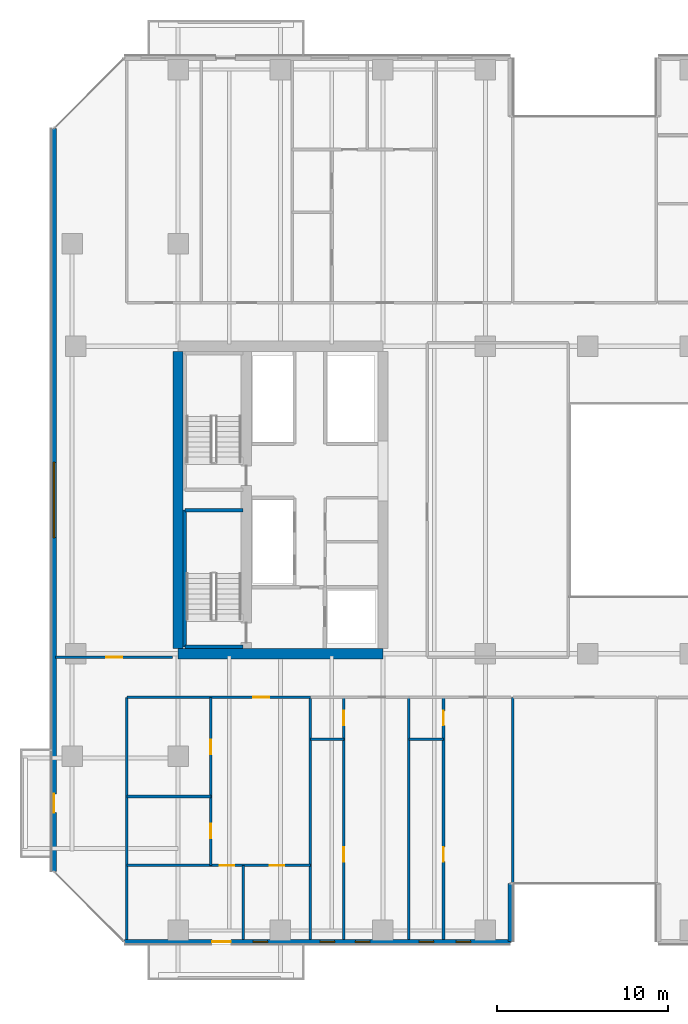
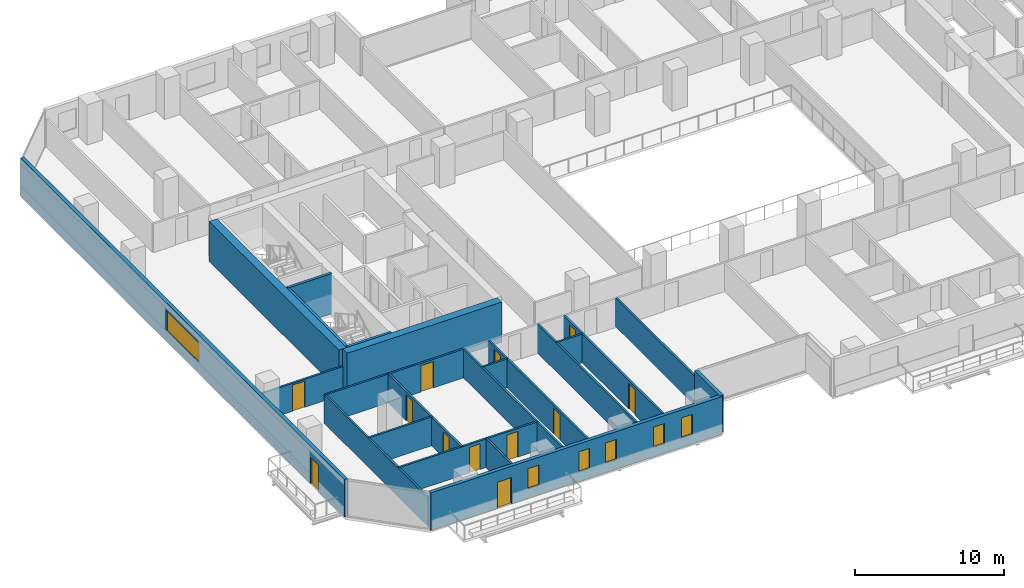
# One storey, part 17 of 33: 22 walls, 12 doors, 6 windows, 18 openings.
"""IFC4 building model written with IfcOpenShell, lengths in metres."""

from ifc_helpers import new_model, si_unit, direction, frame, frame_2d, origin, place, context, subcontext, project, spatial, rectangle, extrude, material, layer, layer_set, type_object, element, fill, save


model = new_model("IFC4")

# Units and contexts
model_context = context("Model", 3, precision=1e-05, world=origin(), true_north=direction((0.0, 1.0)))
body_context = subcontext(model_context, "Body", "Model", "MODEL_VIEW")
ifc_project = project(units=[si_unit("LENGTHUNIT", "METRE"), si_unit("AREAUNIT", "SQUARE_METRE"), si_unit("VOLUMEUNIT", "CUBIC_METRE"), si_unit("PLANEANGLEUNIT", "RADIAN"), si_unit("MASSUNIT", "GRAM", prefix="KILO")], contexts=[model_context])

# Site, building, storey
site_placement = place(None, origin())
site = spatial("IfcSite", under=ifc_project, at=site_placement, CompositionType="ELEMENT")
building_placement = place(site_placement, origin())
building = spatial("IfcBuilding", under=site, at=building_placement, Name="Tanjung Sevakor Pilgrim Tower", CompositionType="ELEMENT")
storey_placement = place(building_placement, frame((0.0, 0.0, 32.340087890625)))
storey = spatial("IfcBuildingStorey", under=building, at=storey_placement, Name="L08", CompositionType="ELEMENT", Elevation=32.340087890625)

# Walls
ifc_material_1 = material(Name="Concrete C60/75", Category="concrete")
ifc_layer_1 = layer(ifc_material_1, 0.60009765625)
ifc_layer_set_1 = layer_set([ifc_layer_1], Name="WALL-CW-600")
wall_type_1 = type_object("IfcWallType", Name="WALL-CW-600", PredefinedType="SHEAR", material=ifc_layer_set_1)
wall_1_placement = place(storey_placement, frame((24.0, 24.60009765625, 0.0), z_axis=(0.0, 0.0, 1.0), x_axis=(1.0, 0.0, 0.0)))
element("IfcWall", 1, at=wall_1_placement, inside=storey, type_object=wall_type_1, Name="L08 W Core South Shear Wall", PredefinedType="SHEAR", context=body_context, shape_type="SweptSolid", body=[
    extrude(rectangle(XDim=12.0, YDim=0.60009765625, at=frame_2d((6.0, 0.0))), origin(), (0.0, 0.0, 1.0), 3.2998046875),
])
wall_2_placement = place(storey_placement, frame((24.0, 24.89990234375, 0.0), z_axis=(0.0, 0.0, 1.0), x_axis=(0.0, 1.0, 0.0)))
element("IfcWall", 2, at=wall_2_placement, inside=storey, type_object=wall_type_1, Name="L08 W Core Outer Shear Wall", PredefinedType="SHEAR", context=body_context, shape_type="SweptSolid", body=[
    extrude(rectangle(XDim=17.400146484375, YDim=0.60009765625, at=frame_2d((8.7001953125, 0.0))), origin(), (0.0, 0.0, 1.0), 3.2998046875),
])

# Wall, opening, door
ifc_material_2 = material(Name="Concrete C40/50", Category="concrete")
ifc_layer_2 = layer(ifc_material_2, 0.14990234375)
ifc_layer_set_2 = layer_set([ifc_layer_2], Name="WT-COMP-150")
wall_type_2 = type_object("IfcWallType", Name="WT-COMP-150", PredefinedType="SOLIDWALL", material=ifc_layer_set_2)
wall_3_placement = place(storey_placement, frame((16.840087890625, 24.39990234375, 0.0), z_axis=(0.0, 0.0, 1.0), x_axis=(1.0, 0.0, 0.0)))
wall_3 = element("IfcWall", 3, at=wall_3_placement, inside=storey, type_object=wall_type_2, Name="L08 Partition IW-L08-031", PredefinedType="SOLIDWALL", context=body_context, shape_type="SweptSolid", body=[
    extrude(rectangle(XDim=6.83984375, YDim=0.14990234375, at=frame_2d((3.419921875, 0.0))), origin(), (0.0, 0.0, 1.0), 2.295166015625),
])
opening_1_placement = place(wall_3_placement, frame((2.945068359375, 0.0, 0.0)))
opening_1 = element("IfcOpeningElement", 4, at=opening_1_placement, cuts=wall_3, Name="Opening ID-FD2", PredefinedType="OPENING", context=body_context, shape_type="SweptSolid", body=[
    extrude(rectangle(XDim=0.949951171875, YDim=2.14990234375, at=frame_2d((0.47509765625, 1.074951171875))), frame((0.0, 0.0849609375, 0.0), z_axis=(0.0, -1.0, 0.0), x_axis=(1.0, 0.0, 0.0)), (0.0, 0.0, 1.0), 0.169921875),
])
ifc_material_3 = material(Name="Fire-Rated Timber", Category="wood")
door_type_1 = type_object("IfcDoorType", Name="DT-FIRE-950", OperationType="NOTDEFINED", PredefinedType="DOOR", material=ifc_material_3)
door_1_placement = place(opening_1_placement, origin())
door_1 = element("IfcDoor", 5, at=door_1_placement, inside=storey, type_object=door_type_1, Name="Study Room Entrance", OperationType="SINGLE_SWING_LEFT", OverallHeight=2.14990234375, OverallWidth=0.949951171875, PredefinedType="DOOR", context=body_context, shape_type="SweptSolid", body=[
    extrude(rectangle(XDim=0.949951171875, YDim=2.14990234375, at=frame_2d((0.47509765625, 1.074951171875))), frame((0.0, 0.02490234375, 0.0), z_axis=(0.0, -1.0, 0.0), x_axis=(1.0, 0.0, 0.0)), (0.0, 0.0, 1.0), 0.050048828125),
])
fill(opening_1, door_1)

# Walls
for number, where, z_axis, x_axis, name in (
    (6, (43.60009765625, 7.8798828125, 0.0), (0.0, 0.0, 1.0), (0.0, 1.0, 0.0), "L08 Partition IW-L08-039"),
    (7, (21.0, 7.8798828125, 0.0), (0.0, 0.0, 1.0), (0.0, 1.0, 0.0), "L08 Partition IW-L08-044"),
    (8, (31.751220703125, 7.8798828125, 0.0), (0.0, 0.0, 1.0), (0.0, 1.0, 0.0), "L08 Partition IW-L08-045"),
):
    element("IfcWall", number, at=place(storey_placement, frame(where, z_axis=z_axis, x_axis=x_axis)), inside=storey, type_object=wall_type_2, Name=name, PredefinedType="SOLIDWALL", context=body_context, shape_type="SweptSolid", body=[
        extrude(rectangle(XDim=14.170166015625, YDim=0.14990234375, at=frame_2d((7.0849609375, 0.0))), origin(), (0.0, 0.0, 1.0), 2.35009765625),
    ])

# Wall, opening, door
wall_4_placement = place(storey_placement, frame((21.0, 22.050048828125, 0.0), z_axis=(0.0, 0.0, 1.0), x_axis=(1.0, 0.0, 0.0)))
wall_4 = element("IfcWall", 9, at=wall_4_placement, inside=storey, type_object=wall_type_2, Name="L08 Partition IW-L08-050", PredefinedType="SOLIDWALL", context=body_context, shape_type="SweptSolid", body=[
    extrude(rectangle(XDim=10.751220703125, YDim=0.14990234375, at=frame_2d((5.37548828125, 0.0))), origin(), (0.0, 0.0, 1.0), 2.35009765625),
])
opening_2_placement = place(wall_4_placement, frame((7.400634765625, 0.0, 0.0)))
opening_2 = element("IfcOpeningElement", 10, at=opening_2_placement, cuts=wall_4, Name="Opening ID-FD2", PredefinedType="OPENING", context=body_context, shape_type="SweptSolid", body=[
    extrude(rectangle(XDim=0.949951171875, YDim=2.14990234375, at=frame_2d((0.47509765625, 1.074951171875))), frame((0.0, 0.0849609375, 0.0), z_axis=(0.0, -1.0, 0.0), x_axis=(1.0, 0.0, 0.0)), (0.0, 0.0, 1.0), 0.169921875),
])
door_2_placement = place(opening_2_placement, origin())
door_2 = element("IfcDoor", 11, at=door_2_placement, inside=storey, type_object=door_type_1, Name="Suite Entrance", OperationType="SINGLE_SWING_RIGHT", OverallHeight=2.14990234375, OverallWidth=0.949951171875, PredefinedType="DOOR", context=body_context, shape_type="SweptSolid", body=[
    extrude(rectangle(XDim=0.949951171875, YDim=2.14990234375, at=frame_2d((0.47509765625, 1.074951171875))), frame((0.0, 0.02490234375, 0.0), z_axis=(0.0, -1.0, 0.0), x_axis=(1.0, 0.0, 0.0)), (0.0, 0.0, 1.0), 0.050048828125),
])
fill(opening_2, door_2)

# Wall
wall_5_placement = place(storey_placement, frame((37.5126953125, 7.8798828125, 0.0), z_axis=(0.0, 0.0, 1.0), x_axis=(0.0, 1.0, 0.0)))
element("IfcWall", 12, at=wall_5_placement, inside=storey, type_object=wall_type_2, Name="L08 Partition IW-L08-051", PredefinedType="SOLIDWALL", context=body_context, shape_type="SweptSolid", body=[
    extrude(rectangle(XDim=14.170166015625, YDim=0.14990234375, at=frame_2d((7.0849609375, 0.0))), origin(), (0.0, 0.0, 1.0), 2.35009765625),
])

# Wall, openings, door, windows
ifc_material_4 = material(Name="Precast concrete C45/55", Category="concrete")
ifc_layer_3 = layer(ifc_material_4, 0.280029296875)
ifc_layer_set_3 = layer_set([ifc_layer_3], Name="WT-EW-STN2")
wall_type_3 = type_object("IfcWallType", Name="WT-EW-STN2", PredefinedType="SOLIDWALL", material=ifc_layer_set_3)
wall_6_placement = place(storey_placement, frame((20.85791015625, 7.739990234375, 0.0), z_axis=(0.0, 0.0, 1.0), x_axis=(1.0, 0.0, 0.0)))
wall_6 = element("IfcWall", 13, at=wall_6_placement, inside=storey, type_object=wall_type_3, Name="L08 MAIN Exterior Wall 1", PredefinedType="SOLIDWALL", context=body_context, shape_type="SweptSolid", body=[
    extrude(rectangle(XDim=22.60205078125, YDim=0.280029296875, at=frame_2d((11.301025390625, 0.0))), origin(), (0.0, 0.0, 1.0), 3.080078125),
])
opening_3_placement = place(wall_6_placement, frame((5.14208984375, 0.0, 0.0)))
opening_3 = element("IfcOpeningElement", 14, at=opening_3_placement, cuts=wall_6, Name="Opening ED-BAL-1100", PredefinedType="OPENING", context=body_context, shape_type="SweptSolid", body=[
    extrude(rectangle(XDim=1.10009765625, YDim=2.14990234375, at=frame_2d((0.550048828125, 1.074951171875))), frame((0.0, 0.14990234375, 0.0), z_axis=(0.0, -1.0, 0.0), x_axis=(1.0, 0.0, 0.0)), (0.0, 0.0, 1.0), 0.300048828125),
])
opening_4_placement = place(wall_6_placement, frame((7.53271484375, 0.0, 0.780029296875)))
opening_4 = element("IfcOpeningElement", 15, at=opening_4_placement, cuts=wall_6, Name="Opening WN-SLM", PredefinedType="OPENING", context=body_context, shape_type="SweptSolid", body=[
    extrude(rectangle(XDim=0.85009765625, YDim=1.64990234375, at=frame_2d((0.425048828125, 0.824951171875))), frame((0.0, 0.14990234375, 0.0), z_axis=(0.0, -1.0, 0.0), x_axis=(1.0, 0.0, 0.0)), (0.0, 0.0, 1.0), 0.300048828125),
])
opening_5_placement = place(wall_6_placement, frame((11.457763671875, 0.0, 0.780029296875)))
opening_5 = element("IfcOpeningElement", 16, at=opening_5_placement, cuts=wall_6, Name="Opening WN-SLM", PredefinedType="OPENING", context=body_context, shape_type="SweptSolid", body=[
    extrude(rectangle(XDim=0.85009765625, YDim=1.64990234375, at=frame_2d((0.425048828125, 0.824951171875))), frame((0.0, 0.14990234375, 0.0), z_axis=(0.0, -1.0, 0.0), x_axis=(1.0, 0.0, 0.0)), (0.0, 0.0, 1.0), 0.300048828125),
])
opening_6_placement = place(wall_6_placement, frame((13.5185546875, 0.0, 0.780029296875)))
opening_6 = element("IfcOpeningElement", 17, at=opening_6_placement, cuts=wall_6, Name="Opening WN-SLM", PredefinedType="OPENING", context=body_context, shape_type="SweptSolid", body=[
    extrude(rectangle(XDim=0.85009765625, YDim=1.64990234375, at=frame_2d((0.425048828125, 0.824951171875))), frame((0.0, 0.14990234375, 0.0), z_axis=(0.0, -1.0, 0.0), x_axis=(1.0, 0.0, 0.0)), (0.0, 0.0, 1.0), 0.300048828125),
])
opening_7_placement = place(wall_6_placement, frame((17.254150390625, 0.0, 0.780029296875)))
opening_7 = element("IfcOpeningElement", 18, at=opening_7_placement, cuts=wall_6, Name="Opening WN-SLM", PredefinedType="OPENING", context=body_context, shape_type="SweptSolid", body=[
    extrude(rectangle(XDim=0.85009765625, YDim=1.64990234375, at=frame_2d((0.425048828125, 0.824951171875))), frame((0.0, 0.14990234375, 0.0), z_axis=(0.0, -1.0, 0.0), x_axis=(1.0, 0.0, 0.0)), (0.0, 0.0, 1.0), 0.300048828125),
])
opening_8_placement = place(wall_6_placement, frame((19.417724609375, 0.0, 0.780029296875)))
opening_8 = element("IfcOpeningElement", 19, at=opening_8_placement, cuts=wall_6, Name="Opening WN-SLM", PredefinedType="OPENING", context=body_context, shape_type="SweptSolid", body=[
    extrude(rectangle(XDim=0.85009765625, YDim=1.64990234375, at=frame_2d((0.425048828125, 0.824951171875))), frame((0.0, 0.14990234375, 0.0), z_axis=(0.0, -1.0, 0.0), x_axis=(1.0, 0.0, 0.0)), (0.0, 0.0, 1.0), 0.300048828125),
])
ifc_material_5 = material(Name="Anodised Aluminium and Laminated Glass", Category="aluminium")
door_type_2 = type_object("IfcDoorType", Name="DTYP-ED-BAL-1100", OperationType="NOTDEFINED", PredefinedType="DOOR", material=ifc_material_5)
door_3_placement = place(opening_3_placement, frame((1.10009765625, 0.0, 0.0), z_axis=(0.0, 0.0, 1.0), x_axis=(-1.0, 0.0, 0.0)))
door_3 = element("IfcDoor", 20, at=door_3_placement, inside=storey, type_object=door_type_2, Name="L08 Balcony Door MAIN-S1", OperationType="SINGLE_SWING_RIGHT", OverallHeight=2.14990234375, OverallWidth=1.10009765625, PredefinedType="DOOR", context=body_context, shape_type="SweptSolid", body=[
    extrude(rectangle(XDim=1.10009765625, YDim=2.14990234375, at=frame_2d((0.550048828125, 1.074951171875))), frame((0.0, 0.02490234375, 0.0), z_axis=(0.0, -1.0, 0.0), x_axis=(1.0, 0.0, 0.0)), (0.0, 0.0, 1.0), 0.050048828125),
])
fill(opening_3, door_3)
ifc_material_6 = material(Name="Thermally Broken Aluminium and Low-E Glass", Category="aluminium")
window_type_1 = type_object("IfcWindowType", Name="WTYP-WN-SLM", PartitioningType="SINGLE_PANEL", PredefinedType="WINDOW", material=ifc_material_6)
window_1_placement = place(opening_4_placement, origin())
window_1 = element("IfcWindow", 21, at=window_1_placement, inside=storey, type_object=window_type_1, Name="L08 Facade Window 01", OverallHeight=1.64990234375, OverallWidth=0.85009765625, PartitioningType="SINGLE_PANEL", PredefinedType="WINDOW", context=body_context, shape_type="SweptSolid", body=[
    extrude(rectangle(XDim=0.85009765625, YDim=1.64990234375, at=frame_2d((0.425048828125, 0.824951171875))), frame((0.0, 0.030029296875, 0.0), z_axis=(0.0, -1.0, 0.0), x_axis=(1.0, 0.0, 0.0)), (0.0, 0.0, 1.0), 0.06005859375),
])
fill(opening_4, window_1)
window_2_placement = place(opening_5_placement, origin())
window_2 = element("IfcWindow", 22, at=window_2_placement, inside=storey, type_object=window_type_1, Name="L08 Facade Window 02", OverallHeight=1.64990234375, OverallWidth=0.85009765625, PartitioningType="SINGLE_PANEL", PredefinedType="WINDOW", context=body_context, shape_type="SweptSolid", body=[
    extrude(rectangle(XDim=0.85009765625, YDim=1.64990234375, at=frame_2d((0.425048828125, 0.824951171875))), frame((0.0, 0.030029296875, 0.0), z_axis=(0.0, -1.0, 0.0), x_axis=(1.0, 0.0, 0.0)), (0.0, 0.0, 1.0), 0.06005859375),
])
fill(opening_5, window_2)
window_3_placement = place(opening_6_placement, origin())
window_3 = element("IfcWindow", 23, at=window_3_placement, inside=storey, type_object=window_type_1, Name="L08 Facade Window 03", OverallHeight=1.64990234375, OverallWidth=0.85009765625, PartitioningType="SINGLE_PANEL", PredefinedType="WINDOW", context=body_context, shape_type="SweptSolid", body=[
    extrude(rectangle(XDim=0.85009765625, YDim=1.64990234375, at=frame_2d((0.425048828125, 0.824951171875))), frame((0.0, 0.030029296875, 0.0), z_axis=(0.0, -1.0, 0.0), x_axis=(1.0, 0.0, 0.0)), (0.0, 0.0, 1.0), 0.06005859375),
])
fill(opening_6, window_3)
window_4_placement = place(opening_7_placement, origin())
window_4 = element("IfcWindow", 24, at=window_4_placement, inside=storey, type_object=window_type_1, Name="L08 Facade Window 04", OverallHeight=1.64990234375, OverallWidth=0.85009765625, PartitioningType="SINGLE_PANEL", PredefinedType="WINDOW", context=body_context, shape_type="SweptSolid", body=[
    extrude(rectangle(XDim=0.85009765625, YDim=1.64990234375, at=frame_2d((0.425048828125, 0.824951171875))), frame((0.0, 0.030029296875, 0.0), z_axis=(0.0, -1.0, 0.0), x_axis=(1.0, 0.0, 0.0)), (0.0, 0.0, 1.0), 0.06005859375),
])
fill(opening_7, window_4)
window_5_placement = place(opening_8_placement, origin())
window_5 = element("IfcWindow", 25, at=window_5_placement, inside=storey, type_object=window_type_1, Name="L08 Facade Window 05", OverallHeight=1.64990234375, OverallWidth=0.85009765625, PartitioningType="SINGLE_PANEL", PredefinedType="WINDOW", context=body_context, shape_type="SweptSolid", body=[
    extrude(rectangle(XDim=0.85009765625, YDim=1.64990234375, at=frame_2d((0.425048828125, 0.824951171875))), frame((0.0, 0.030029296875, 0.0), z_axis=(0.0, -1.0, 0.0), x_axis=(1.0, 0.0, 0.0)), (0.0, 0.0, 1.0), 0.06005859375),
])
fill(opening_8, window_5)

# Wall
wall_7_placement = place(storey_placement, frame((43.4599609375, 7.739990234375, 0.0), z_axis=(0.0, 0.0, 1.0), x_axis=(0.0, 1.0, 0.0)))
element("IfcWall", 26, at=wall_7_placement, inside=storey, type_object=wall_type_3, Name="L08 MAIN Exterior Wall 2", PredefinedType="SOLIDWALL", context=body_context, shape_type="SweptSolid", body=[
    extrude(rectangle(XDim=3.39990234375, YDim=0.280029296875, at=frame_2d((1.699951171875, 0.0))), origin(), (0.0, 0.0, 1.0), 3.080078125),
])

# Wall, openings, door, window
wall_8_placement = place(storey_placement, frame((16.739990234375, 55.342041015625, 0.0), z_axis=(0.0, 0.0, 1.0), x_axis=(0.0, -1.0, 0.0)))
wall_8 = element("IfcWall", 27, at=wall_8_placement, inside=storey, type_object=wall_type_3, Name="L08 MAIN Exterior Wall 15", PredefinedType="SOLIDWALL", context=body_context, shape_type="SweptSolid", body=[
    extrude(rectangle(XDim=43.484130859375, YDim=0.280029296875, at=frame_2d((21.7421875, 0.0))), origin(), (0.0, 0.0, 1.0), 3.080078125),
])
opening_9_placement = place(wall_8_placement, frame((38.94189453125, 0.0, 0.0)))
opening_9 = element("IfcOpeningElement", 28, at=opening_9_placement, cuts=wall_8, Name="Opening ED-BAL-1100", PredefinedType="OPENING", context=body_context, shape_type="SweptSolid", body=[
    extrude(rectangle(XDim=1.10009765625, YDim=2.14990234375, at=frame_2d((0.550048828125, 1.074951171875))), frame((0.0, 0.14990234375, 0.0), z_axis=(0.0, -1.0, 0.0), x_axis=(1.0, 0.0, 0.0)), (0.0, 0.0, 1.0), 0.300048828125),
])
opening_10_placement = place(wall_8_placement, frame((19.5419921875, 0.0, 0.780029296875)))
opening_10 = element("IfcOpeningElement", 29, at=opening_10_placement, cuts=wall_8, Name="Opening WN-ENDW-1660", PredefinedType="OPENING", context=body_context, shape_type="SweptSolid", body=[
    extrude(rectangle(XDim=4.39990234375, YDim=1.659912109375, at=frame_2d((2.199951171875, 0.830078125))), frame((0.0, 0.14990234375, 0.0), z_axis=(0.0, -1.0, 0.0), x_axis=(1.0, 0.0, 0.0)), (0.0, 0.0, 1.0), 0.300048828125),
])
door_4_placement = place(opening_9_placement, frame((1.10009765625, 0.0, 0.0), z_axis=(0.0, 0.0, 1.0), x_axis=(-1.0, 0.0, 0.0)))
door_4 = element("IfcDoor", 30, at=door_4_placement, inside=storey, type_object=door_type_2, Name="L08 West Loggia Door MAIN-W1", OperationType="SINGLE_SWING_LEFT", OverallHeight=2.14990234375, OverallWidth=1.10009765625, PredefinedType="DOOR", context=body_context, shape_type="SweptSolid", body=[
    extrude(rectangle(XDim=1.10009765625, YDim=2.14990234375, at=frame_2d((0.550048828125, 1.074951171875))), frame((0.0, 0.02490234375, 0.0), z_axis=(0.0, -1.0, 0.0), x_axis=(1.0, 0.0, 0.0)), (0.0, 0.0, 1.0), 0.050048828125),
])
fill(opening_9, door_4)
ifc_material_7 = material(Name="Thermally Broken Aluminium and Low-E Glass", Category="aluminium")
window_type_2 = type_object("IfcWindowType", Name="WTYP-WN-ENDW-1660", PartitioningType="DOUBLE_PANEL_VERTICAL", PredefinedType="WINDOW", material=ifc_material_7)
window_6_placement = place(opening_10_placement, origin())
window_6 = element("IfcWindow", 31, at=window_6_placement, inside=storey, type_object=window_type_2, Name="L08 Facade Window 01", OverallHeight=1.659912109375, OverallWidth=4.39990234375, PartitioningType="SINGLE_PANEL", PredefinedType="WINDOW", context=body_context, shape_type="SweptSolid", body=[
    extrude(rectangle(XDim=4.39990234375, YDim=1.659912109375, at=frame_2d((2.199951171875, 0.830078125))), frame((0.0, 0.030029296875, 0.0), z_axis=(0.0, -1.0, 0.0), x_axis=(1.0, 0.0, 0.0)), (0.0, 0.0, 1.0), 0.06005859375),
])
fill(opening_10, window_6)

# Walls
ifc_material_8 = material(Name="Concrete C40/50", Category="concrete")
ifc_layer_4 = layer(ifc_material_8, 0.199951171875)
ifc_layer_set_4 = layer_set([ifc_layer_4], Name="WT-FIRE-200")
wall_type_4 = type_object("IfcWallType", Name="WT-FIRE-200", PredefinedType="SOLIDWALL", material=ifc_layer_set_4)
for number, where, z_axis, x_axis, name in (
    (32, (24.39990234375, 25.0, 0.0), (0.0, 0.0, 1.0), (1.0, 0.0, 0.0), "L08 TS-W1 Shaft Wall 1"),
    (33, (27.800048828125, 33.0, 0.0), (0.0, 0.0, 1.0), (-1.0, 0.0, 0.0), "L08 TS-W1 Shaft Wall 2"),
):
    element("IfcWall", number, at=place(storey_placement, frame(where, z_axis=z_axis, x_axis=x_axis)), inside=storey, type_object=wall_type_4, Name=name, PredefinedType="SOLIDWALL", context=body_context, shape_type="SweptSolid", body=[
        extrude(rectangle(XDim=3.400146484375, YDim=0.199951171875, at=frame_2d((1.7001953125, 0.0))), origin(), (0.0, 0.0, 1.0), 3.2998046875),
    ])
wall_9_placement = place(storey_placement, frame((24.39990234375, 33.0, 0.0), z_axis=(0.0, 0.0, 1.0), x_axis=(0.0, -1.0, 0.0)))
element("IfcWall", 34, at=wall_9_placement, inside=storey, type_object=wall_type_4, Name="L08 TS-W1 Shaft Wall 3", PredefinedType="SOLIDWALL", context=body_context, shape_type="SweptSolid", body=[
    extrude(rectangle(XDim=8.0, YDim=0.199951171875, at=frame_2d((4.0, 0.0))), origin(), (0.0, 0.0, 1.0), 3.2998046875),
])
ifc_material_9 = material(Name="Gypsum Board Partition", Category="gypsum board")
ifc_layer_5 = layer(ifc_material_9, 0.14990234375)
ifc_layer_set_5 = layer_set([ifc_layer_5], Name="WT-PART-150")
wall_type_5 = type_object("IfcWallType", Name="WT-PART-150", PredefinedType="PARTITIONING", material=ifc_layer_set_5)
wall_10_placement = place(storey_placement, frame((21.0, 16.24169921875, 0.0), z_axis=(0.0, 0.0, 1.0), x_axis=(1.0, 0.0, 0.0)))
element("IfcWall", 35, at=wall_10_placement, inside=storey, type_object=wall_type_5, Name="L08 Partition IW-L08-046", PredefinedType="PARTITIONING", context=body_context, shape_type="SweptSolid", body=[
    extrude(rectangle(XDim=4.919921875, YDim=0.14990234375, at=frame_2d((2.4599609375, 0.0))), origin(), (0.0, 0.0, 1.0), 2.35009765625),
])

# Wall, openings, doors
wall_11_placement = place(storey_placement, frame((25.919921875, 12.20556640625, 0.0), z_axis=(0.0, 0.0, 1.0), x_axis=(0.0, 1.0, 0.0)))
wall_11 = element("IfcWall", 36, at=wall_11_placement, inside=storey, type_object=wall_type_5, Name="L08 Partition IW-L08-047", PredefinedType="PARTITIONING", context=body_context, shape_type="SweptSolid", body=[
    extrude(rectangle(XDim=9.844482421875, YDim=0.14990234375, at=frame_2d((4.92236328125, 0.0))), origin(), (0.0, 0.0, 1.0), 2.35009765625),
])
opening_11_placement = place(wall_11_placement, frame((1.593017578125, 0.0, 0.0)))
opening_11 = element("IfcOpeningElement", 37, at=opening_11_placement, cuts=wall_11, Name="Opening ID-WC1", PredefinedType="OPENING", context=body_context, shape_type="SweptSolid", body=[
    extrude(rectangle(XDim=0.85009765625, YDim=2.10009765625, at=frame_2d((0.425048828125, 1.050048828125))), frame((0.0, 0.0849609375, 0.0), z_axis=(0.0, -1.0, 0.0), x_axis=(1.0, 0.0, 0.0)), (0.0, 0.0, 1.0), 0.169921875),
])
opening_12_placement = place(wall_11_placement, frame((6.515380859375, 0.0, 0.0)))
opening_12 = element("IfcOpeningElement", 38, at=opening_12_placement, cuts=wall_11, Name="Opening ID-WC1", PredefinedType="OPENING", context=body_context, shape_type="SweptSolid", body=[
    extrude(rectangle(XDim=0.85009765625, YDim=2.10009765625, at=frame_2d((0.425048828125, 1.050048828125))), frame((0.0, 0.0849609375, 0.0), z_axis=(0.0, -1.0, 0.0), x_axis=(1.0, 0.0, 0.0)), (0.0, 0.0, 1.0), 0.169921875),
])
ifc_material_10 = material(Name="Moisture-Resistant Timber", Category="wood")
door_type_3 = type_object("IfcDoorType", Name="DT-INT-850", OperationType="NOTDEFINED", PredefinedType="DOOR", material=ifc_material_10)
door_5_placement = place(opening_11_placement, origin())
door_5 = element("IfcDoor", 39, at=door_5_placement, inside=storey, type_object=door_type_3, Name="Suite Bathroom Door", OperationType="SINGLE_SWING_RIGHT", OverallHeight=2.10009765625, OverallWidth=0.85009765625, PredefinedType="DOOR", context=body_context, shape_type="SweptSolid", body=[
    extrude(rectangle(XDim=0.85009765625, YDim=2.10009765625, at=frame_2d((0.425048828125, 1.050048828125))), frame((0.0, 0.02490234375, 0.0), z_axis=(0.0, -1.0, 0.0), x_axis=(1.0, 0.0, 0.0)), (0.0, 0.0, 1.0), 0.050048828125),
])
fill(opening_11, door_5)
door_6_placement = place(opening_12_placement, origin())
door_6 = element("IfcDoor", 40, at=door_6_placement, inside=storey, type_object=door_type_3, Name="Suite Kitchenette Door", OperationType="SINGLE_SWING_LEFT", OverallHeight=2.10009765625, OverallWidth=0.85009765625, PredefinedType="DOOR", context=body_context, shape_type="SweptSolid", body=[
    extrude(rectangle(XDim=0.85009765625, YDim=2.10009765625, at=frame_2d((0.425048828125, 1.050048828125))), frame((0.0, 0.02490234375, 0.0), z_axis=(0.0, -1.0, 0.0), x_axis=(1.0, 0.0, 0.0)), (0.0, 0.0, 1.0), 0.050048828125),
])
fill(opening_12, door_6)

# Wall
wall_12_placement = place(storey_placement, frame((27.820068359375, 7.8798828125, 0.0), z_axis=(0.0, 0.0, 1.0), x_axis=(0.0, 1.0, 0.0)))
element("IfcWall", 41, at=wall_12_placement, inside=storey, type_object=wall_type_5, Name="L08 Partition IW-L08-048", PredefinedType="PARTITIONING", context=body_context, shape_type="SweptSolid", body=[
    extrude(rectangle(XDim=4.32568359375, YDim=0.14990234375, at=frame_2d((2.162841796875, 0.0))), origin(), (0.0, 0.0, 1.0), 2.35009765625),
])

# Wall, openings, doors
wall_13_placement = place(storey_placement, frame((21.0, 12.20556640625, 0.0), z_axis=(0.0, 0.0, 1.0), x_axis=(1.0, 0.0, 0.0)))
wall_13 = element("IfcWall", 42, at=wall_13_placement, inside=storey, type_object=wall_type_5, Name="L08 Partition IW-L08-049", PredefinedType="PARTITIONING", context=body_context, shape_type="SweptSolid", body=[
    extrude(rectangle(XDim=10.751220703125, YDim=0.14990234375, at=frame_2d((5.37548828125, 0.0))), origin(), (0.0, 0.0, 1.0), 2.35009765625),
])
opening_13_placement = place(wall_13_placement, frame((5.445068359375, 0.0, 0.0)))
opening_13 = element("IfcOpeningElement", 43, at=opening_13_placement, cuts=wall_13, Name="Opening ID-WC1", PredefinedType="OPENING", context=body_context, shape_type="SweptSolid", body=[
    extrude(rectangle(XDim=0.85009765625, YDim=2.10009765625, at=frame_2d((0.425048828125, 1.050048828125))), frame((0.0, 0.0849609375, 0.0), z_axis=(0.0, -1.0, 0.0), x_axis=(1.0, 0.0, 0.0)), (0.0, 0.0, 1.0), 0.169921875),
])
opening_14_placement = place(wall_13_placement, frame((8.360595703125, 0.0, 0.0)))
opening_14 = element("IfcOpeningElement", 44, at=opening_14_placement, cuts=wall_13, Name="Opening ID-WC1", PredefinedType="OPENING", context=body_context, shape_type="SweptSolid", body=[
    extrude(rectangle(XDim=0.85009765625, YDim=2.10009765625, at=frame_2d((0.425048828125, 1.050048828125))), frame((0.0, 0.0849609375, 0.0), z_axis=(0.0, -1.0, 0.0), x_axis=(1.0, 0.0, 0.0)), (0.0, 0.0, 1.0), 0.169921875),
])
door_7_placement = place(opening_13_placement, origin())
door_7 = element("IfcDoor", 45, at=door_7_placement, inside=storey, type_object=door_type_3, Name="Suite Bedroom 1 Door", OperationType="SINGLE_SWING_RIGHT", OverallHeight=2.10009765625, OverallWidth=0.85009765625, PredefinedType="DOOR", context=body_context, shape_type="SweptSolid", body=[
    extrude(rectangle(XDim=0.85009765625, YDim=2.10009765625, at=frame_2d((0.425048828125, 1.050048828125))), frame((0.0, 0.02490234375, 0.0), z_axis=(0.0, -1.0, 0.0), x_axis=(1.0, 0.0, 0.0)), (0.0, 0.0, 1.0), 0.050048828125),
])
fill(opening_13, door_7)
door_8_placement = place(opening_14_placement, origin())
door_8 = element("IfcDoor", 46, at=door_8_placement, inside=storey, type_object=door_type_3, Name="Suite Bedroom 2 Door", OperationType="SINGLE_SWING_LEFT", OverallHeight=2.10009765625, OverallWidth=0.85009765625, PredefinedType="DOOR", context=body_context, shape_type="SweptSolid", body=[
    extrude(rectangle(XDim=0.85009765625, YDim=2.10009765625, at=frame_2d((0.425048828125, 1.050048828125))), frame((0.0, 0.02490234375, 0.0), z_axis=(0.0, -1.0, 0.0), x_axis=(1.0, 0.0, 0.0)), (0.0, 0.0, 1.0), 0.050048828125),
])
fill(opening_14, door_8)

# Wall
wall_14_placement = place(storey_placement, frame((31.751220703125, 19.60009765625, 0.0), z_axis=(0.0, 0.0, 1.0), x_axis=(1.0, 0.0, 0.0)))
element("IfcWall", 47, at=wall_14_placement, inside=storey, type_object=wall_type_5, Name="L08 Partition IW-L08-052", PredefinedType="PARTITIONING", context=body_context, shape_type="SweptSolid", body=[
    extrude(rectangle(XDim=1.958984375, YDim=0.14990234375, at=frame_2d((0.9794921875, 0.0))), origin(), (0.0, 0.0, 1.0), 2.35009765625),
])

# Wall, openings, doors
wall_15_placement = place(storey_placement, frame((33.710205078125, 7.8798828125, 0.0), z_axis=(0.0, 0.0, 1.0), x_axis=(0.0, 1.0, 0.0)))
wall_15 = element("IfcWall", 48, at=wall_15_placement, inside=storey, type_object=wall_type_5, Name="L08 Partition IW-L08-053", PredefinedType="PARTITIONING", context=body_context, shape_type="SweptSolid", body=[
    extrude(rectangle(XDim=14.170166015625, YDim=0.14990234375, at=frame_2d((7.0849609375, 0.0))), origin(), (0.0, 0.0, 1.0), 2.35009765625),
])
opening_15_placement = place(wall_15_placement, frame((4.548095703125, 0.0, 0.0)))
opening_15 = element("IfcOpeningElement", 49, at=opening_15_placement, cuts=wall_15, Name="Opening ID-WC1", PredefinedType="OPENING", context=body_context, shape_type="SweptSolid", body=[
    extrude(rectangle(XDim=0.85009765625, YDim=2.10009765625, at=frame_2d((0.425048828125, 1.050048828125))), frame((0.0, 0.0849609375, 0.0), z_axis=(0.0, -1.0, 0.0), x_axis=(1.0, 0.0, 0.0)), (0.0, 0.0, 1.0), 0.169921875),
])
opening_16_placement = place(wall_15_placement, frame((12.52001953125, 0.0, 0.0)))
opening_16 = element("IfcOpeningElement", 50, at=opening_16_placement, cuts=wall_15, Name="Opening ID-WC1", PredefinedType="OPENING", context=body_context, shape_type="SweptSolid", body=[
    extrude(rectangle(XDim=0.85009765625, YDim=2.10009765625, at=frame_2d((0.425048828125, 1.050048828125))), frame((0.0, 0.0849609375, 0.0), z_axis=(0.0, -1.0, 0.0), x_axis=(1.0, 0.0, 0.0)), (0.0, 0.0, 1.0), 0.169921875),
])
door_9_placement = place(opening_15_placement, origin())
door_9 = element("IfcDoor", 51, at=door_9_placement, inside=storey, type_object=door_type_3, Name="Study Nook Door", OperationType="SINGLE_SWING_LEFT", OverallHeight=2.10009765625, OverallWidth=0.85009765625, PredefinedType="DOOR", context=body_context, shape_type="SweptSolid", body=[
    extrude(rectangle(XDim=0.85009765625, YDim=2.10009765625, at=frame_2d((0.425048828125, 1.050048828125))), frame((0.0, 0.02490234375, 0.0), z_axis=(0.0, -1.0, 0.0), x_axis=(1.0, 0.0, 0.0)), (0.0, 0.0, 1.0), 0.050048828125),
])
fill(opening_15, door_9)
door_10_placement = place(opening_16_placement, origin())
door_10 = element("IfcDoor", 52, at=door_10_placement, inside=storey, type_object=door_type_3, Name="Bathroom Door", OperationType="SINGLE_SWING_RIGHT", OverallHeight=2.10009765625, OverallWidth=0.85009765625, PredefinedType="DOOR", context=body_context, shape_type="SweptSolid", body=[
    extrude(rectangle(XDim=0.85009765625, YDim=2.10009765625, at=frame_2d((0.425048828125, 1.050048828125))), frame((0.0, 0.02490234375, 0.0), z_axis=(0.0, -1.0, 0.0), x_axis=(1.0, 0.0, 0.0)), (0.0, 0.0, 1.0), 0.050048828125),
])
fill(opening_16, door_10)

# Wall
wall_16_placement = place(storey_placement, frame((37.5126953125, 19.60009765625, 0.0), z_axis=(0.0, 0.0, 1.0), x_axis=(1.0, 0.0, 0.0)))
element("IfcWall", 53, at=wall_16_placement, inside=storey, type_object=wall_type_5, Name="L08 Partition IW-L08-055", PredefinedType="PARTITIONING", context=body_context, shape_type="SweptSolid", body=[
    extrude(rectangle(XDim=2.02880859375, YDim=0.14990234375, at=frame_2d((1.014404296875, 0.0))), origin(), (0.0, 0.0, 1.0), 2.35009765625),
])

# Wall, openings, doors
wall_17_placement = place(storey_placement, frame((39.54150390625, 7.8798828125, 0.0), z_axis=(0.0, 0.0, 1.0), x_axis=(0.0, 1.0, 0.0)))
wall_17 = element("IfcWall", 54, at=wall_17_placement, inside=storey, type_object=wall_type_5, Name="L08 Partition IW-L08-056", PredefinedType="PARTITIONING", context=body_context, shape_type="SweptSolid", body=[
    extrude(rectangle(XDim=14.170166015625, YDim=0.14990234375, at=frame_2d((7.0849609375, 0.0))), origin(), (0.0, 0.0, 1.0), 2.35009765625),
])
opening_17_placement = place(wall_17_placement, frame((4.548095703125, 0.0, 0.0)))
opening_17 = element("IfcOpeningElement", 55, at=opening_17_placement, cuts=wall_17, Name="Opening ID-WC1", PredefinedType="OPENING", context=body_context, shape_type="SweptSolid", body=[
    extrude(rectangle(XDim=0.85009765625, YDim=2.10009765625, at=frame_2d((0.425048828125, 1.050048828125))), frame((0.0, 0.0849609375, 0.0), z_axis=(0.0, -1.0, 0.0), x_axis=(1.0, 0.0, 0.0)), (0.0, 0.0, 1.0), 0.169921875),
])
opening_18_placement = place(wall_17_placement, frame((12.52001953125, 0.0, 0.0)))
opening_18 = element("IfcOpeningElement", 56, at=opening_18_placement, cuts=wall_17, Name="Opening ID-WC1", PredefinedType="OPENING", context=body_context, shape_type="SweptSolid", body=[
    extrude(rectangle(XDim=0.85009765625, YDim=2.10009765625, at=frame_2d((0.425048828125, 1.050048828125))), frame((0.0, 0.0849609375, 0.0), z_axis=(0.0, -1.0, 0.0), x_axis=(1.0, 0.0, 0.0)), (0.0, 0.0, 1.0), 0.169921875),
])
door_11_placement = place(opening_17_placement, origin())
door_11 = element("IfcDoor", 57, at=door_11_placement, inside=storey, type_object=door_type_3, Name="Study Nook Door", OperationType="SINGLE_SWING_RIGHT", OverallHeight=2.10009765625, OverallWidth=0.85009765625, PredefinedType="DOOR", context=body_context, shape_type="SweptSolid", body=[
    extrude(rectangle(XDim=0.85009765625, YDim=2.10009765625, at=frame_2d((0.425048828125, 1.050048828125))), frame((0.0, 0.02490234375, 0.0), z_axis=(0.0, -1.0, 0.0), x_axis=(1.0, 0.0, 0.0)), (0.0, 0.0, 1.0), 0.050048828125),
])
fill(opening_17, door_11)
door_12_placement = place(opening_18_placement, origin())
door_12 = element("IfcDoor", 58, at=door_12_placement, inside=storey, type_object=door_type_3, Name="Bathroom Door", OperationType="SINGLE_SWING_LEFT", OverallHeight=2.10009765625, OverallWidth=0.85009765625, PredefinedType="DOOR", context=body_context, shape_type="SweptSolid", body=[
    extrude(rectangle(XDim=0.85009765625, YDim=2.10009765625, at=frame_2d((0.425048828125, 1.050048828125))), frame((0.0, 0.02490234375, 0.0), z_axis=(0.0, -1.0, 0.0), x_axis=(1.0, 0.0, 0.0)), (0.0, 0.0, 1.0), 0.050048828125),
])
fill(opening_18, door_12)

save(model, "model.ifc")
